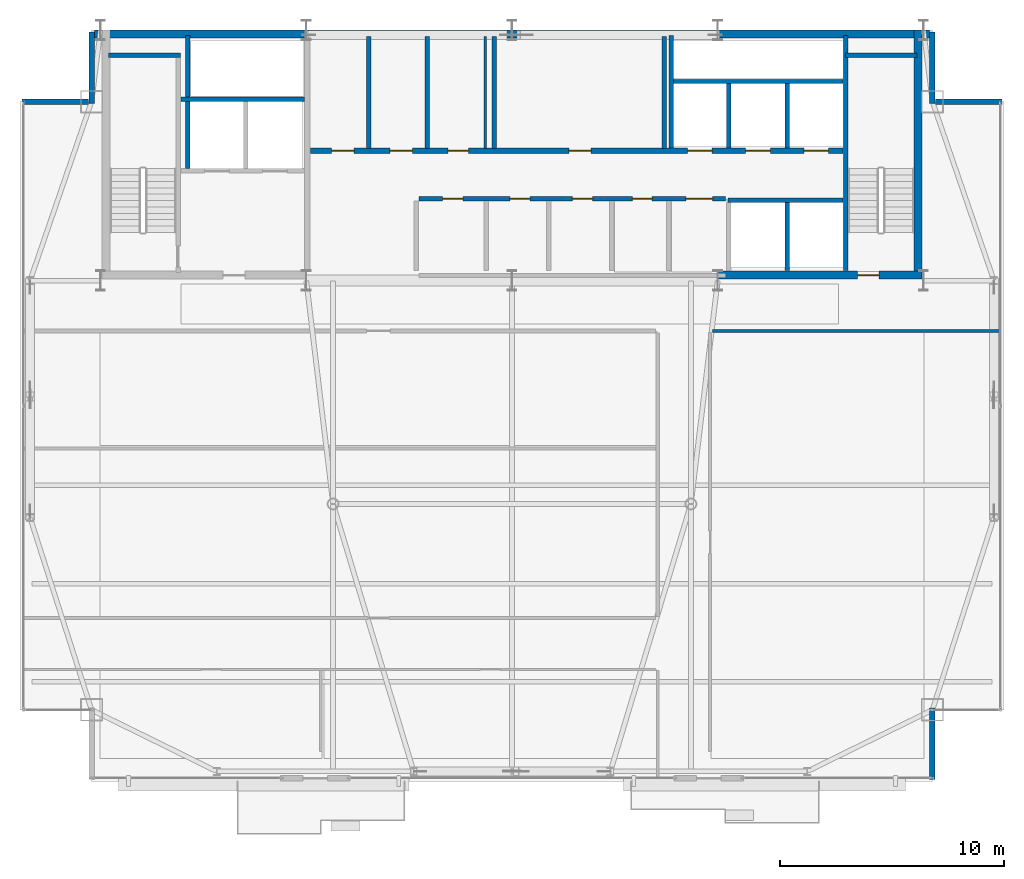
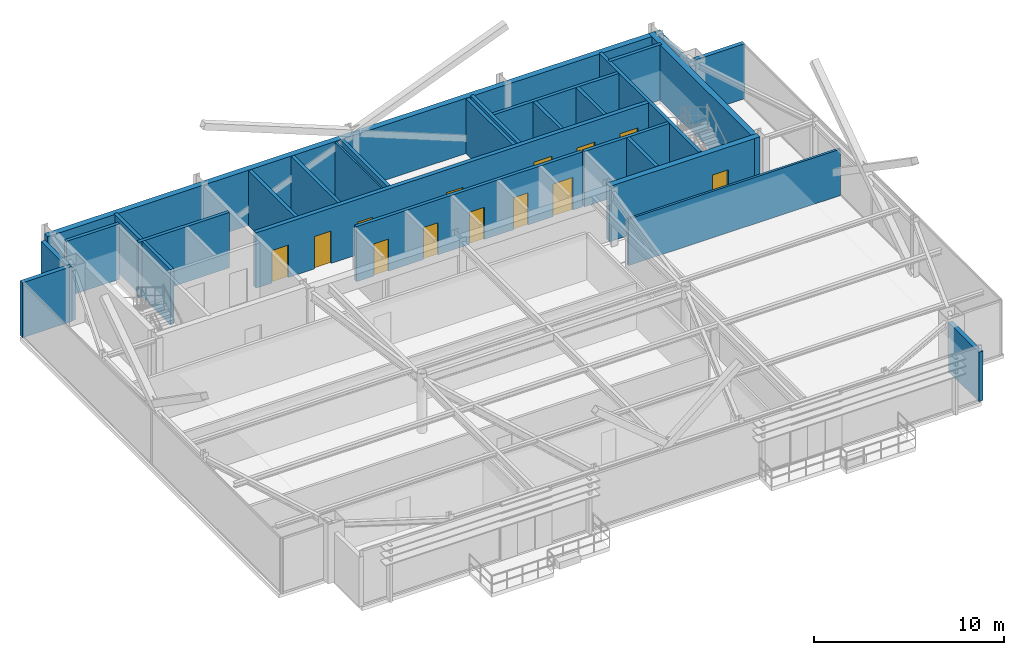
# One storey, part 22 of 25: 27 walls, 13 doors, 13 openings.
"""IFC4 building model written with IfcOpenShell, lengths in metres."""

from ifc_helpers import new_model, si_unit, direction, frame, frame_2d, origin, place, context, subcontext, project, spatial, rectangle, extrude, source, transform, mapped, material, layer, layer_set, type_object, type_shapes, element, fill, save


model = new_model("IFC4")

# Units and contexts
model_context = context("Model", 3, precision=1e-05, world=origin(), true_north=direction((0.0, 1.0)))
body_context = subcontext(model_context, "Body", "Model", "MODEL_VIEW")
ifc_project = project(units=[si_unit("LENGTHUNIT", "METRE"), si_unit("AREAUNIT", "SQUARE_METRE"), si_unit("VOLUMEUNIT", "CUBIC_METRE"), si_unit("PLANEANGLEUNIT", "RADIAN"), si_unit("MASSUNIT", "GRAM", prefix="KILO")], contexts=[model_context])

# Site, building, storey
site_placement = place(None, origin())
site = spatial("IfcSite", under=ifc_project, at=site_placement, CompositionType="ELEMENT")
building_placement = place(site_placement, origin())
building = spatial("IfcBuilding", under=site, at=building_placement, Name="Varnel Quay Broadcast Tower", CompositionType="ELEMENT")
storey_placement = place(building_placement, frame((0.0, 0.0, 288.800048828125)))
storey = spatial("IfcBuildingStorey", under=building, at=storey_placement, Name="L72", CompositionType="ELEMENT", Elevation=288.800048828125)

# Walls
ifc_material_1 = material(Name="Concrete CSA A23.3 C50/60", Category="concrete")
ifc_layer_1 = layer(ifc_material_1, 0.199951171875, Name="Concrete CSA A23.3 C50/60")
ifc_layer_set_1 = layer_set([ifc_layer_1], Name="Concrete CSA A23.3 C50/60")
wall_type_1 = type_object("IfcWallType", Name="Wall_CoreShaftShear200", PredefinedType="SHEAR", material=ifc_layer_set_1)
wall_1_placement = place(storey_placement, frame((15.949951171875, 45.679931640625, 0.0), z_axis=(0.0, 0.0, 1.0), x_axis=(1.0, 0.0, 0.0)))
element("IfcWall", 1, at=wall_1_placement, inside=storey, type_object=wall_type_1, Name="L72 Stair 1 North Structural Wall", PredefinedType="SHEAR", context=body_context, shape_type="SweptSolid", body=[
    extrude(rectangle(XDim=3.22998046875, YDim=0.199951171875, at=frame_2d((1.614990234375, 0.0))), origin(), (0.0, 0.0, 1.0), 3.550048828125),
])
wall_2_placement = place(storey_placement, frame((19.199951171875, 43.699951171875, 0.0), z_axis=(0.0, 0.0, 1.0), x_axis=(1.0, 0.0, 0.0)))
element("IfcWall", 2, at=wall_2_placement, inside=storey, type_object=wall_type_1, Name="L72 Firefighter Lift Shaft Rear Wall", PredefinedType="SHEAR", context=body_context, shape_type="SweptSolid", body=[
    extrude(rectangle(XDim=5.52001953125, YDim=0.199951171875, at=frame_2d((2.760009765625, 0.0))), origin(), (0.0, 0.0, 1.0), 3.550048828125),
])
wall_3_placement = place(storey_placement, frame((19.5, 40.60009765625, 0.0), z_axis=(0.0, 0.0, 1.0), x_axis=(0.0, 1.0, 0.0)))
element("IfcWall", 3, at=wall_3_placement, inside=storey, type_object=wall_type_1, Name="L72 Firefighter Lift Shaft West Wall", PredefinedType="SHEAR", context=body_context, shape_type="SweptSolid", body=[
    extrude(rectangle(XDim=5.949951171875, YDim=0.199951171875, at=frame_2d((2.97509765625, 0.0))), origin(), (0.0, 0.0, 1.0), 3.550048828125),
])
wall_4_placement = place(storey_placement, frame((48.919921875, 36.050048828125, 0.0), z_axis=(0.0, 0.0, 1.0), x_axis=(0.0, 1.0, 0.0)))
element("IfcWall", 4, at=wall_4_placement, inside=storey, type_object=wall_type_1, Name="L72 Stair 2 West Structural Wall", PredefinedType="SHEAR", context=body_context, shape_type="SweptSolid", body=[
    extrude(rectangle(XDim=10.5, YDim=0.199951171875, at=frame_2d((5.25, 0.0))), origin(), (0.0, 0.0, 1.0), 3.550048828125),
])
wall_5_placement = place(storey_placement, frame((48.919921875, 45.679931640625, 0.0), z_axis=(0.0, 0.0, 1.0), x_axis=(1.0, 0.0, 0.0)))
element("IfcWall", 5, at=wall_5_placement, inside=storey, type_object=wall_type_1, Name="L72 Stair 2 North Structural Wall", PredefinedType="SHEAR", context=body_context, shape_type="SweptSolid", body=[
    extrude(rectangle(XDim=3.18017578125, YDim=0.199951171875, at=frame_2d((1.590087890625, 0.0))), origin(), (0.0, 0.0, 1.0), 3.550048828125),
])
wall_6_placement = place(storey_placement, frame((41.219970703125, 44.5, 0.0), z_axis=(0.0, 0.0, 1.0), x_axis=(1.0, 0.0, 0.0)))
element("IfcWall", 6, at=wall_6_placement, inside=storey, type_object=wall_type_1, Name="L72 High-Rise Lift Shaft Rear Wall", PredefinedType="SHEAR", context=body_context, shape_type="SweptSolid", body=[
    extrude(rectangle(XDim=7.580078125, YDim=0.199951171875, at=frame_2d((3.7900390625, 0.0))), origin(), (0.0, 0.0, 1.0), 3.550048828125),
])
wall_7_placement = place(storey_placement, frame((41.1201171875, 41.530029296875, 0.0), z_axis=(0.0, 0.0, 1.0), x_axis=(0.0, 1.0, 0.0)))
element("IfcWall", 7, at=wall_7_placement, inside=storey, type_object=wall_type_1, Name="L72 High-Rise Lift Shaft Divider 1", PredefinedType="SHEAR", context=body_context, shape_type="SweptSolid", body=[
    extrude(rectangle(XDim=5.02001953125, YDim=0.199951171875, at=frame_2d((2.510009765625, 0.0))), origin(), (0.0, 0.0, 1.0), 3.550048828125),
])
for number, where, z_axis, x_axis, name in (
    (8, (43.699951171875, 41.530029296875, 0.0), (0.0, 0.0, 1.0), (0.0, 1.0, 0.0), "L72 High-Rise Lift Shaft Divider 2"),
    (9, (46.300048828125, 41.530029296875, 0.0), (0.0, 0.0, 1.0), (0.0, 1.0, 0.0), "L72 High-Rise Lift Shaft Divider 3"),
):
    element("IfcWall", number, at=place(storey_placement, frame(where, z_axis=z_axis, x_axis=x_axis)), inside=storey, type_object=wall_type_1, Name=name, PredefinedType="SHEAR", context=body_context, shape_type="SweptSolid", body=[
        extrude(rectangle(XDim=2.869873046875, YDim=0.199951171875, at=frame_2d((1.43505859375, 0.0))), origin(), (0.0, 0.0, 1.0), 3.550048828125),
    ])
wall_8_placement = place(storey_placement, frame((46.300048828125, 36.050048828125, 0.0), z_axis=(0.0, 0.0, 1.0), x_axis=(0.0, 1.0, 0.0)))
element("IfcWall", 10, at=wall_8_placement, inside=storey, type_object=wall_type_1, Name="L72 Express Lift Shaft Divider", PredefinedType="SHEAR", context=body_context, shape_type="SweptSolid", body=[
    extrude(rectangle(XDim=3.050048828125, YDim=0.199951171875, at=frame_2d((1.52490234375, 0.0))), origin(), (0.0, 0.0, 1.0), 3.550048828125),
])
wall_9_placement = place(storey_placement, frame((43.64990234375, 39.199951171875, 0.0), z_axis=(0.0, 0.0, 1.0), x_axis=(1.0, 0.0, 0.0)))
element("IfcWall", 11, at=wall_9_placement, inside=storey, type_object=wall_type_1, Name="L72 Express Lift Shaft North Front Wall", PredefinedType="SHEAR", context=body_context, shape_type="SweptSolid", body=[
    extrude(rectangle(XDim=5.150146484375, YDim=0.199951171875, at=frame_2d((2.5751953125, 0.0))), origin(), (0.0, 0.0, 1.0), 3.550048828125),
])

# Wall, openings, doors
ifc_layer_2 = layer(ifc_material_1, 0.25, Name="Concrete CSA A23.3 C50/60")
ifc_layer_set_2 = layer_set([ifc_layer_2], Name="Concrete CSA A23.3 C50/60")
wall_type_2 = type_object("IfcWallType", Name="Wall_CoreShaftShear250", PredefinedType="SHEAR", material=ifc_layer_set_2)
wall_10_placement = place(storey_placement, frame((24.97998046875, 41.39990234375, 0.0), z_axis=(0.0, 0.0, 1.0), x_axis=(1.0, 0.0, 0.0)))
wall_10 = element("IfcWall", 12, at=wall_10_placement, inside=storey, type_object=wall_type_2, Name="L72 North Lift Bank & Reclaimed Suite Wall", PredefinedType="SHEAR", context=body_context, shape_type="SweptSolid", body=[
    extrude(rectangle(XDim=23.820068359375, YDim=0.25, at=frame_2d((11.91015625, 0.0))), origin(), (0.0, 0.0, 1.0), 3.550048828125),
])
opening_1_placement = place(wall_10_placement, frame((16.8701171875, 0.0, 0.0)))
opening_1 = element("IfcOpeningElement", 13, at=opening_1_placement, cuts=wall_10, Name="Opening LD-L72-PH-01", PredefinedType="OPENING", context=body_context, shape_type="SweptSolid", body=[
    extrude(rectangle(XDim=1.10009765625, YDim=2.179931640625, at=frame_2d((0.550048828125, 1.08984375))), frame((0.0, 0.135009765625, 0.0), z_axis=(0.0, -1.0, 0.0), x_axis=(1.0, 0.0, 0.0)), (0.0, 0.0, 1.0), 0.27001953125),
])
opening_2_placement = place(wall_10_placement, frame((19.469970703125, 0.0, 0.0)))
opening_2 = element("IfcOpeningElement", 14, at=opening_2_placement, cuts=wall_10, Name="Opening LD-L72-PH-02", PredefinedType="OPENING", context=body_context, shape_type="SweptSolid", body=[
    extrude(rectangle(XDim=1.10009765625, YDim=2.179931640625, at=frame_2d((0.550048828125, 1.08984375))), frame((0.0, 0.135009765625, 0.0), z_axis=(0.0, -1.0, 0.0), x_axis=(1.0, 0.0, 0.0)), (0.0, 0.0, 1.0), 0.27001953125),
])
opening_3_placement = place(wall_10_placement, frame((22.070068359375, 0.0, 0.0)))
opening_3 = element("IfcOpeningElement", 15, at=opening_3_placement, cuts=wall_10, Name="Opening LD-L72-PH-03", PredefinedType="OPENING", context=body_context, shape_type="SweptSolid", body=[
    extrude(rectangle(XDim=1.10009765625, YDim=2.179931640625, at=frame_2d((0.550048828125, 1.08984375))), frame((0.0, 0.135009765625, 0.0), z_axis=(0.0, -1.0, 0.0), x_axis=(1.0, 0.0, 0.0)), (0.0, 0.0, 1.0), 0.27001953125),
])
opening_4_placement = place(wall_10_placement, frame((0.9599609375, 0.0, 0.0)))
opening_4 = element("IfcOpeningElement", 16, at=opening_4_placement, cuts=wall_10, Name="Opening D-L72-RECA1", PredefinedType="OPENING", context=body_context, shape_type="SweptSolid", body=[
    extrude(rectangle(XDim=1.0, YDim=2.080078125, at=frame_2d((0.5, 1.0400390625))), frame((0.0, 0.135009765625, 0.0), z_axis=(0.0, -1.0, 0.0), x_axis=(1.0, 0.0, 0.0)), (0.0, 0.0, 1.0), 0.27001953125),
])
opening_5_placement = place(wall_10_placement, frame((3.56005859375, 0.0, 0.0)))
opening_5 = element("IfcOpeningElement", 17, at=opening_5_placement, cuts=wall_10, Name="Opening D-L72-RECA2", PredefinedType="OPENING", context=body_context, shape_type="SweptSolid", body=[
    extrude(rectangle(XDim=1.0, YDim=2.080078125, at=frame_2d((0.5, 1.0400390625))), frame((0.0, 0.135009765625, 0.0), z_axis=(0.0, -1.0, 0.0), x_axis=(1.0, 0.0, 0.0)), (0.0, 0.0, 1.0), 0.27001953125),
])
opening_6_placement = place(wall_10_placement, frame((6.159912109375, 0.0, 0.0)))
opening_6 = element("IfcOpeningElement", 18, at=opening_6_placement, cuts=wall_10, Name="Opening D-L72-RECA3", PredefinedType="OPENING", context=body_context, shape_type="SweptSolid", body=[
    extrude(rectangle(XDim=0.919921875, YDim=2.080078125, at=frame_2d((0.4599609375, 1.0400390625))), frame((0.0, 0.135009765625, 0.0), z_axis=(0.0, -1.0, 0.0), x_axis=(1.0, 0.0, 0.0)), (0.0, 0.0, 1.0), 0.27001953125),
])
opening_7_placement = place(wall_10_placement, frame((11.56005859375, 0.0, 0.0)))
opening_7 = element("IfcOpeningElement", 19, at=opening_7_placement, cuts=wall_10, Name="Opening D-L72-RECB1", PredefinedType="OPENING", context=body_context, shape_type="SweptSolid", body=[
    extrude(rectangle(XDim=1.0, YDim=2.080078125, at=frame_2d((0.5, 1.0400390625))), frame((0.0, 0.135009765625, 0.0), z_axis=(0.0, -1.0, 0.0), x_axis=(1.0, 0.0, 0.0)), (0.0, 0.0, 1.0), 0.27001953125),
])
ifc_material_2 = material(Name="Brushed Bronze-Stainless Lift Car & Sliding Doors", Category="steel")
door_type_1 = type_object("IfcDoorType", Name="Door_LiftLanding1100", OperationType="SLIDING_TO_LEFT", PredefinedType="DOOR", material=ifc_material_2)
shared_shape_1 = source(origin(), body_context, "Body", "SweptSolid", [
    extrude(rectangle(XDim=1.10009765625, YDim=2.179931640625, at=frame_2d((0.550048828125, 1.08984375))), frame((0.0, 0.02490234375, 0.0), z_axis=(0.0, -1.0, 0.0), x_axis=(1.0, 0.0, 0.0)), (0.0, 0.0, 1.0), 0.050048828125),
])
type_shapes(door_type_1, [shared_shape_1])
door_1_placement = place(opening_1_placement, frame((1.10009765625, 0.0, 0.0), z_axis=(0.0, 0.0, 1.0), x_axis=(-1.0, 0.0, 0.0)))
door_1 = element("IfcDoor", 20, at=door_1_placement, inside=storey, type_object=door_type_1, Name="L72 Lift PH-01 Landing Door", OperationType="SLIDING_TO_LEFT", OverallHeight=2.179931640625, OverallWidth=1.10009765625, PredefinedType="DOOR", context=body_context, shape_type="MappedRepresentation", body=[
    mapped(shared_shape_1, transform((0.0, 0.0, 0.0), x_axis=(1.0, 0.0, 0.0), y_axis=(0.0, 1.0, 0.0), z_axis=(0.0, 0.0, 1.0), scale=1.0)),
])
fill(opening_1, door_1)
door_2_placement = place(opening_2_placement, frame((1.10009765625, 0.0, 0.0), z_axis=(0.0, 0.0, 1.0), x_axis=(-1.0, 0.0, 0.0)))
door_2 = element("IfcDoor", 21, at=door_2_placement, inside=storey, type_object=door_type_1, Name="L72 Lift PH-02 Landing Door", OperationType="SLIDING_TO_LEFT", OverallHeight=2.179931640625, OverallWidth=1.10009765625, PredefinedType="DOOR", context=body_context, shape_type="MappedRepresentation", body=[
    mapped(shared_shape_1, transform((0.0, 0.0, 0.0), x_axis=(1.0, 0.0, 0.0), y_axis=(0.0, 1.0, 0.0), z_axis=(0.0, 0.0, 1.0), scale=1.0)),
])
fill(opening_2, door_2)
door_3_placement = place(opening_3_placement, frame((1.10009765625, 0.0, 0.0), z_axis=(0.0, 0.0, 1.0), x_axis=(-1.0, 0.0, 0.0)))
door_3 = element("IfcDoor", 22, at=door_3_placement, inside=storey, type_object=door_type_1, Name="L72 Lift PH-03 Landing Door", OperationType="SLIDING_TO_LEFT", OverallHeight=2.179931640625, OverallWidth=1.10009765625, PredefinedType="DOOR", context=body_context, shape_type="MappedRepresentation", body=[
    mapped(shared_shape_1, transform((0.0, 0.0, 0.0), x_axis=(1.0, 0.0, 0.0), y_axis=(0.0, 1.0, 0.0), z_axis=(0.0, 0.0, 1.0), scale=1.0)),
])
fill(opening_3, door_3)
ifc_material_3 = material(Name="Insulated Fire-Rated Hollow Steel Door", Category="steel")
door_type_2 = type_object("IfcDoorType", Name="Door_FireLobby1000", OperationType="NOTDEFINED", PredefinedType="DOOR", material=ifc_material_3)
shared_shape_2 = source(origin(), body_context, "Body", "SweptSolid", [
    extrude(rectangle(XDim=1.0, YDim=2.080078125, at=frame_2d((0.5, 1.0400390625))), frame((0.0, 0.02490234375, 0.0), z_axis=(0.0, -1.0, 0.0), x_axis=(1.0, 0.0, 0.0)), (0.0, 0.0, 1.0), 0.050048828125),
])
type_shapes(door_type_2, [shared_shape_2])
door_4_placement = place(opening_4_placement, origin())
door_4 = element("IfcDoor", 23, at=door_4_placement, inside=storey, type_object=door_type_2, Name="L72 Ingest Rack Bay A Door", OperationType="SINGLE_SWING_LEFT", OverallHeight=2.080078125, OverallWidth=1.0, PredefinedType="DOOR", context=body_context, shape_type="MappedRepresentation", body=[
    mapped(shared_shape_2, transform((0.0, 0.0, 0.0), x_axis=(1.0, 0.0, 0.0), y_axis=(0.0, 1.0, 0.0), z_axis=(0.0, 0.0, 1.0), scale=1.0)),
])
fill(opening_4, door_4)
door_5_placement = place(opening_5_placement, origin())
door_5 = element("IfcDoor", 24, at=door_5_placement, inside=storey, type_object=door_type_2, Name="L72 Fiber Patch Bay Door", OperationType="SINGLE_SWING_RIGHT", OverallHeight=2.080078125, OverallWidth=1.0, PredefinedType="DOOR", context=body_context, shape_type="MappedRepresentation", body=[
    mapped(shared_shape_2, transform((0.0, 0.0, 0.0), x_axis=(1.0, 0.0, 0.0), y_axis=(0.0, 1.0, 0.0), z_axis=(0.0, 0.0, 1.0), scale=1.0)),
])
fill(opening_5, door_5)
door_6_placement = place(opening_7_placement, origin())
door_6 = element("IfcDoor", 25, at=door_6_placement, inside=storey, type_object=door_type_2, Name="L72 High-Zone Broadcast Rack Hall Door", OperationType="SINGLE_SWING_RIGHT", OverallHeight=2.080078125, OverallWidth=1.0, PredefinedType="DOOR", context=body_context, shape_type="MappedRepresentation", body=[
    mapped(shared_shape_2, transform((0.0, 0.0, 0.0), x_axis=(1.0, 0.0, 0.0), y_axis=(0.0, 1.0, 0.0), z_axis=(0.0, 0.0, 1.0), scale=1.0)),
])
fill(opening_7, door_6)
ifc_material_4 = material(Name="Solid-Core Fire-Rated Acoustic Oak Veneer Door", Category="wood")
door_type_3 = type_object("IfcDoorType", Name="Door_Office920", OperationType="NOTDEFINED", PredefinedType="DOOR", material=ifc_material_4)
shared_shape_3 = source(origin(), body_context, "Body", "SweptSolid", [
    extrude(rectangle(XDim=0.919921875, YDim=2.080078125, at=frame_2d((0.4599609375, 1.0400390625))), frame((0.0, 0.02490234375, 0.0), z_axis=(0.0, -1.0, 0.0), x_axis=(1.0, 0.0, 0.0)), (0.0, 0.0, 1.0), 0.050048828125),
])
type_shapes(door_type_3, [shared_shape_3])
door_7_placement = place(opening_6_placement, origin())
door_7 = element("IfcDoor", 26, at=door_7_placement, inside=storey, type_object=door_type_3, Name="L72 Telemetry Store Door", OperationType="SINGLE_SWING_LEFT", OverallHeight=2.080078125, OverallWidth=0.919921875, PredefinedType="DOOR", context=body_context, shape_type="MappedRepresentation", body=[
    mapped(shared_shape_3, transform((0.0, 0.0, 0.0), x_axis=(1.0, 0.0, 0.0), y_axis=(0.0, 1.0, 0.0), z_axis=(0.0, 0.0, 1.0), scale=1.0)),
])
fill(opening_6, door_7)

# Walls
ifc_layer_3 = layer(ifc_material_1, 0.35009765625, Name="Concrete CSA A23.3 C50/60")
ifc_layer_set_3 = layer_set([ifc_layer_3], Name="Concrete CSA A23.3 C50/60")
wall_type_3 = type_object("IfcWallType", Name="Wall_CoreShearExt350", PredefinedType="SHEAR", material=ifc_layer_set_3)
wall_11_placement = place(storey_placement, frame((15.324951171875, 46.625, 0.0), z_axis=(0.0, 0.0, 1.0), x_axis=(1.0, 0.0, 0.0)))
element("IfcWall", 27, at=wall_11_placement, inside=storey, type_object=wall_type_3, Name="L72 North Core Shear Wall", PredefinedType="SHEAR", context=body_context, shape_type="SweptSolid", body=[
    extrude(rectangle(XDim=37.35009765625, YDim=0.35009765625, at=frame_2d((18.675048828125, 0.0))), origin(), (0.0, 0.0, 1.0), 3.550048828125),
])
ifc_layer_4 = layer(ifc_material_1, 0.35009765625, Name="Concrete CSA A23.3 C50/60")
ifc_layer_set_4 = layer_set([ifc_layer_4], Name="Concrete CSA A23.3 C50/60")
wall_type_4 = type_object("IfcWallType", Name="Wall_CoreShearInt350", PredefinedType="SHEAR", material=ifc_layer_set_4)
wall_12_placement = place(storey_placement, frame((52.155029296875, 35.669921875, 0.0), z_axis=(0.0, 0.0, 1.0), x_axis=(0.0, 1.0, 0.0)))
element("IfcWall", 28, at=wall_12_placement, inside=storey, type_object=wall_type_4, Name="L72 East Core Shear Wall", PredefinedType="SHEAR", context=body_context, shape_type="SweptSolid", body=[
    extrude(rectangle(XDim=11.130126953125, YDim=0.35009765625, at=frame_2d((5.56494140625, 0.0))), origin(), (0.0, 0.0, 1.0), 3.550048828125),
])

# Wall, opening, door
wall_13_placement = place(storey_placement, frame((43.199951171875, 35.844970703125, 0.0), z_axis=(0.0, 0.0, 1.0), x_axis=(1.0, 0.0, 0.0)))
wall_13 = element("IfcWall", 29, at=wall_13_placement, inside=storey, type_object=wall_type_4, Name="L72 South-East Core Shear Wall", PredefinedType="SHEAR", context=body_context, shape_type="SweptSolid", body=[
    extrude(rectangle(XDim=9.130126953125, YDim=0.35009765625, at=frame_2d((4.56494140625, 0.0))), origin(), (0.0, 0.0, 1.0), 3.550048828125),
])
opening_8_placement = place(wall_13_placement, frame((6.25, 0.0, 0.0)))
opening_8 = element("IfcOpeningElement", 30, at=opening_8_placement, cuts=wall_13, Name="Opening D-L72-S2", PredefinedType="OPENING", context=body_context, shape_type="SweptSolid", body=[
    extrude(rectangle(XDim=0.949951171875, YDim=2.10009765625, at=frame_2d((0.47509765625, 1.050048828125))), frame((0.0, 0.18505859375, 0.0), z_axis=(0.0, -1.0, 0.0), x_axis=(1.0, 0.0, 0.0)), (0.0, 0.0, 1.0), 0.3701171875),
])
door_type_4 = type_object("IfcDoorType", Name="Door_FireStair950", OperationType="NOTDEFINED", PredefinedType="DOOR", material=ifc_material_3)
shared_shape_4 = source(origin(), body_context, "Body", "SweptSolid", [
    extrude(rectangle(XDim=0.949951171875, YDim=2.10009765625, at=frame_2d((0.47509765625, 1.050048828125))), frame((0.0, 0.02490234375, 0.0), z_axis=(0.0, -1.0, 0.0), x_axis=(1.0, 0.0, 0.0)), (0.0, 0.0, 1.0), 0.050048828125),
])
type_shapes(door_type_4, [shared_shape_4])
door_8_placement = place(opening_8_placement, origin())
door_8 = element("IfcDoor", 31, at=door_8_placement, inside=storey, type_object=door_type_4, Name="L72 Stair 2 Fire Door", OperationType="SINGLE_SWING_RIGHT", OverallHeight=2.10009765625, OverallWidth=0.949951171875, PredefinedType="DOOR", context=body_context, shape_type="MappedRepresentation", body=[
    mapped(shared_shape_4, transform((0.0, 0.0, 0.0), x_axis=(1.0, 0.0, 0.0), y_axis=(0.0, 1.0, 0.0), z_axis=(0.0, 0.0, 1.0), scale=1.0)),
])
fill(opening_8, door_8)

# Walls
ifc_material_5 = material(Name="Precast Architectural Concrete C40/50", Category="concrete")
ifc_layer_5 = layer(ifc_material_5, 0.25, Name="Precast Architectural Concrete C40/50")
ifc_layer_set_5 = layer_set([ifc_layer_5], Name="Precast Architectural Concrete C40/50")
wall_type_5 = type_object("IfcWallType", Name="Wall_ExtTerrace250", PredefinedType="SOLIDWALL", material=ifc_layer_set_5)
wall_14_placement = place(storey_placement, frame((52.800048828125, 13.280029296875, 0.0), z_axis=(0.0, 0.0, 1.0), x_axis=(0.0, 1.0, 0.0)))
element("IfcWall", 32, at=wall_14_placement, inside=storey, type_object=wall_type_5, Name="L72 Mega-Column Notch Cladding Wall NSE2", PredefinedType="SOLIDWALL", context=body_context, shape_type="SweptSolid", body=[
    extrude(rectangle(XDim=3.199951171875, YDim=0.25, at=frame_2d((1.60009765625, 0.0))), origin(), (0.0, 0.0, 1.0), 3.1708984375),
])
wall_15_placement = place(storey_placement, frame((12.080078125, 43.60009765625, 0.0), z_axis=(0.0, 0.0, 1.0), x_axis=(1.0, 0.0, 0.0)))
element("IfcWall", 33, at=wall_15_placement, inside=storey, type_object=wall_type_5, Name="L72 Mega-Column Notch Cladding Wall NNW1", PredefinedType="SOLIDWALL", context=body_context, shape_type="SweptSolid", body=[
    extrude(rectangle(XDim=2.989990234375, YDim=0.25, at=frame_2d((1.4951171875, 0.0))), origin(), (0.0, 0.0, 1.0), 3.530029296875),
])
wall_16_placement = place(storey_placement, frame((15.199951171875, 43.52001953125, 0.0), z_axis=(0.0, 0.0, 1.0), x_axis=(0.0, 1.0, 0.0)))
element("IfcWall", 34, at=wall_16_placement, inside=storey, type_object=wall_type_5, Name="L72 Mega-Column Notch Cladding Wall NNW2", PredefinedType="SOLIDWALL", context=body_context, shape_type="SweptSolid", body=[
    extrude(rectangle(XDim=3.199951171875, YDim=0.25, at=frame_2d((1.60009765625, 0.0))), origin(), (0.0, 0.0, 1.0), 3.1708984375),
])
wall_17_placement = place(storey_placement, frame((52.929931640625, 43.60009765625, 0.0), z_axis=(0.0, 0.0, 1.0), x_axis=(1.0, 0.0, 0.0)))
element("IfcWall", 35, at=wall_17_placement, inside=storey, type_object=wall_type_5, Name="L72 Mega-Column Notch Cladding Wall NNE1", PredefinedType="SOLIDWALL", context=body_context, shape_type="SweptSolid", body=[
    extrude(rectangle(XDim=2.989990234375, YDim=0.25, at=frame_2d((1.4951171875, 0.0))), origin(), (0.0, 0.0, 1.0), 3.530029296875),
])
wall_18_placement = place(storey_placement, frame((52.800048828125, 43.52001953125, 0.0), z_axis=(0.0, 0.0, 1.0), x_axis=(0.0, 1.0, 0.0)))
element("IfcWall", 36, at=wall_18_placement, inside=storey, type_object=wall_type_5, Name="L72 Mega-Column Notch Cladding Wall NNE2", PredefinedType="SOLIDWALL", context=body_context, shape_type="SweptSolid", body=[
    extrude(rectangle(XDim=3.199951171875, YDim=0.25, at=frame_2d((1.60009765625, 0.0))), origin(), (0.0, 0.0, 1.0), 3.1708984375),
])

# Wall, openings, doors
ifc_material_6 = material(Name="Concrete Blockwork Fire Enclosure C40/50", Category="masonry")
ifc_layer_6 = layer(ifc_material_6, 0.199951171875, Name="Concrete Blockwork Fire Enclosure C40/50")
ifc_layer_set_6 = layer_set([ifc_layer_6], Name="Concrete Blockwork Fire Enclosure C40/50")
wall_type_6 = type_object("IfcWallType", Name="Wall_FireShaft200", PredefinedType="SOLIDWALL", material=ifc_layer_set_6)
wall_19_placement = place(storey_placement, frame((29.85009765625, 39.25, 0.0), z_axis=(0.0, 0.0, 1.0), x_axis=(1.0, 0.0, 0.0)))
wall_19 = element("IfcWall", 37, at=wall_19_placement, inside=storey, type_object=wall_type_6, Name="L72 Accessible Washroom Partition 3", PredefinedType="SOLIDWALL", context=body_context, shape_type="SweptSolid", body=[
    extrude(rectangle(XDim=13.699951171875, YDim=0.199951171875, at=frame_2d((6.85009765625, 0.0))), origin(), (0.0, 0.0, 1.0), 3.530029296875),
])
opening_9_placement = place(wall_19_placement, frame((1.050048828125, 0.0, 0.0)))
opening_9 = element("IfcOpeningElement", 38, at=opening_9_placement, cuts=wall_19, Name="Opening D-L72-01", PredefinedType="OPENING", context=body_context, shape_type="SweptSolid", body=[
    extrude(rectangle(XDim=0.89990234375, YDim=2.06005859375, at=frame_2d((0.449951171875, 1.030029296875))), frame((0.0, 0.10986328125, 0.0), z_axis=(0.0, -1.0, 0.0), x_axis=(1.0, 0.0, 0.0)), (0.0, 0.0, 1.0), 0.219970703125),
])
opening_10_placement = place(wall_19_placement, frame((4.050048828125, 0.0, 0.0)))
opening_10 = element("IfcOpeningElement", 39, at=opening_10_placement, cuts=wall_19, Name="Opening D-L72-02", PredefinedType="OPENING", context=body_context, shape_type="SweptSolid", body=[
    extrude(rectangle(XDim=0.89990234375, YDim=2.06005859375, at=frame_2d((0.449951171875, 1.030029296875))), frame((0.0, 0.10986328125, 0.0), z_axis=(0.0, -1.0, 0.0), x_axis=(1.0, 0.0, 0.0)), (0.0, 0.0, 1.0), 0.219970703125),
])
opening_11_placement = place(wall_19_placement, frame((6.85009765625, 0.0, 0.0)))
opening_11 = element("IfcOpeningElement", 40, at=opening_11_placement, cuts=wall_19, Name="Opening D-L72-03", PredefinedType="OPENING", context=body_context, shape_type="SweptSolid", body=[
    extrude(rectangle(XDim=0.89990234375, YDim=2.06005859375, at=frame_2d((0.449951171875, 1.030029296875))), frame((0.0, 0.10986328125, 0.0), z_axis=(0.0, -1.0, 0.0), x_axis=(1.0, 0.0, 0.0)), (0.0, 0.0, 1.0), 0.219970703125),
])
opening_12_placement = place(wall_19_placement, frame((9.534912109375, 0.0, 0.0)))
opening_12 = element("IfcOpeningElement", 41, at=opening_12_placement, cuts=wall_19, Name="Opening D-L72-04", PredefinedType="OPENING", context=body_context, shape_type="SweptSolid", body=[
    extrude(rectangle(XDim=0.8798828125, YDim=2.06005859375, at=frame_2d((0.43994140625, 1.030029296875))), frame((0.0, 0.10986328125, 0.0), z_axis=(0.0, -1.0, 0.0), x_axis=(1.0, 0.0, 0.0)), (0.0, 0.0, 1.0), 0.219970703125),
])
opening_13_placement = place(wall_19_placement, frame((11.925048828125, 0.0, 0.0)))
opening_13 = element("IfcOpeningElement", 42, at=opening_13_placement, cuts=wall_19, Name="Opening D-L72-05", PredefinedType="OPENING", context=body_context, shape_type="SweptSolid", body=[
    extrude(rectangle(XDim=1.199951171875, YDim=2.10009765625, at=frame_2d((0.60009765625, 1.050048828125))), frame((0.0, 0.10986328125, 0.0), z_axis=(0.0, -1.0, 0.0), x_axis=(1.0, 0.0, 0.0)), (0.0, 0.0, 1.0), 0.219970703125),
])
door_type_5 = type_object("IfcDoorType", Name="Door_Washroom900", OperationType="NOTDEFINED", PredefinedType="DOOR", material=ifc_material_4)
shared_shape_5 = source(origin(), body_context, "Body", "SweptSolid", [
    extrude(rectangle(XDim=0.89990234375, YDim=2.06005859375, at=frame_2d((0.449951171875, 1.030029296875))), frame((0.0, 0.02490234375, 0.0), z_axis=(0.0, -1.0, 0.0), x_axis=(1.0, 0.0, 0.0)), (0.0, 0.0, 1.0), 0.050048828125),
])
type_shapes(door_type_5, [shared_shape_5])
door_9_placement = place(opening_9_placement, frame((0.89990234375, 0.0, 0.0), z_axis=(0.0, 0.0, 1.0), x_axis=(-1.0, 0.0, 0.0)))
door_9 = element("IfcDoor", 43, at=door_9_placement, inside=storey, type_object=door_type_5, Name="L72 Accessible Washroom Door D-L72-01", OperationType="SINGLE_SWING_LEFT", OverallHeight=2.06005859375, OverallWidth=0.89990234375, PredefinedType="DOOR", context=body_context, shape_type="MappedRepresentation", body=[
    mapped(shared_shape_5, transform((0.0, 0.0, 0.0), x_axis=(1.0, 0.0, 0.0), y_axis=(0.0, 1.0, 0.0), z_axis=(0.0, 0.0, 1.0), scale=1.0)),
])
fill(opening_9, door_9)
door_10_placement = place(opening_10_placement, frame((0.89990234375, 0.0, 0.0), z_axis=(0.0, 0.0, 1.0), x_axis=(-1.0, 0.0, 0.0)))
door_10 = element("IfcDoor", 44, at=door_10_placement, inside=storey, type_object=door_type_5, Name="L72 West Gender-Neutral Washroom Door D-L72-02", OperationType="SINGLE_SWING_RIGHT", OverallHeight=2.06005859375, OverallWidth=0.89990234375, PredefinedType="DOOR", context=body_context, shape_type="MappedRepresentation", body=[
    mapped(shared_shape_5, transform((0.0, 0.0, 0.0), x_axis=(1.0, 0.0, 0.0), y_axis=(0.0, 1.0, 0.0), z_axis=(0.0, 0.0, 1.0), scale=1.0)),
])
fill(opening_10, door_10)
door_11_placement = place(opening_11_placement, frame((0.89990234375, 0.0, 0.0), z_axis=(0.0, 0.0, 1.0), x_axis=(-1.0, 0.0, 0.0)))
door_11 = element("IfcDoor", 45, at=door_11_placement, inside=storey, type_object=door_type_5, Name="L72 East Staff Washroom Door D-L72-03", OperationType="SINGLE_SWING_LEFT", OverallHeight=2.06005859375, OverallWidth=0.89990234375, PredefinedType="DOOR", context=body_context, shape_type="MappedRepresentation", body=[
    mapped(shared_shape_5, transform((0.0, 0.0, 0.0), x_axis=(1.0, 0.0, 0.0), y_axis=(0.0, 1.0, 0.0), z_axis=(0.0, 0.0, 1.0), scale=1.0)),
])
fill(opening_11, door_11)
door_type_6 = type_object("IfcDoorType", Name="Door_Plant1200", OperationType="NOTDEFINED", PredefinedType="DOOR", material=ifc_material_3)
shared_shape_6 = source(origin(), body_context, "Body", "SweptSolid", [
    extrude(rectangle(XDim=1.199951171875, YDim=2.10009765625, at=frame_2d((0.60009765625, 1.050048828125))), frame((0.0, 0.02490234375, 0.0), z_axis=(0.0, -1.0, 0.0), x_axis=(1.0, 0.0, 0.0)), (0.0, 0.0, 1.0), 0.050048828125),
])
type_shapes(door_type_6, [shared_shape_6])
door_12_placement = place(opening_13_placement, origin())
door_12 = element("IfcDoor", 46, at=door_12_placement, inside=storey, type_object=door_type_6, Name="L72 Telecom IDF Closet Door D-L72-05", OperationType="SINGLE_SWING_LEFT", OverallHeight=2.10009765625, OverallWidth=1.199951171875, PredefinedType="DOOR", context=body_context, shape_type="MappedRepresentation", body=[
    mapped(shared_shape_6, transform((0.0, 0.0, 0.0), x_axis=(1.0, 0.0, 0.0), y_axis=(0.0, 1.0, 0.0), z_axis=(0.0, 0.0, 1.0), scale=1.0)),
])
fill(opening_13, door_12)
door_type_7 = type_object("IfcDoorType", Name="Door_Booth880", OperationType="NOTDEFINED", PredefinedType="DOOR", material=ifc_material_4)
shared_shape_7 = source(origin(), body_context, "Body", "SweptSolid", [
    extrude(rectangle(XDim=0.8798828125, YDim=2.06005859375, at=frame_2d((0.43994140625, 1.030029296875))), frame((0.0, 0.02490234375, 0.0), z_axis=(0.0, -1.0, 0.0), x_axis=(1.0, 0.0, 0.0)), (0.0, 0.0, 1.0), 0.050048828125),
])
type_shapes(door_type_7, [shared_shape_7])
door_13_placement = place(opening_12_placement, frame((0.8798828125, 0.0, 0.0), z_axis=(0.0, 0.0, 1.0), x_axis=(-1.0, 0.0, 0.0)))
door_13 = element("IfcDoor", 47, at=door_13_placement, inside=storey, type_object=door_type_7, Name="L72 Cleaners' & Linen Store Door D-L72-04", OperationType="SINGLE_SWING_RIGHT", OverallHeight=2.06005859375, OverallWidth=0.8798828125, PredefinedType="DOOR", context=body_context, shape_type="MappedRepresentation", body=[
    mapped(shared_shape_7, transform((0.0, 0.0, 0.0), x_axis=(1.0, 0.0, 0.0), y_axis=(0.0, 1.0, 0.0), z_axis=(0.0, 0.0, 1.0), scale=1.0)),
])
fill(opening_12, door_13)

# Walls
for number, where, z_axis, x_axis, name in (
    (48, (27.60009765625, 41.5, 0.0), (0.0, 0.0, 1.0), (0.0, 1.0, 0.0), "L72 Ingest Rack Bay A Partition 17"),
    (49, (30.199951171875, 41.5, 0.0), (0.0, 0.0, 1.0), (0.0, 1.0, 0.0), "L72 Fiber Patch Bay Partition 18"),
    (50, (40.800048828125, 41.5, 0.0), (0.0, 0.0, 1.0), (0.0, 1.0, 0.0), "L72 High-Zone Broadcast Rack Hall Partition 20"),
    (51, (33.199951171875, 41.5, 0.0), (0.0, 0.0, 1.0), (0.0, 1.0, 0.0), "L72 High-Zone Broadcast Rack Hall Partition 21"),
):
    element("IfcWall", number, at=place(storey_placement, frame(where, z_axis=z_axis, x_axis=x_axis)), inside=storey, type_object=wall_type_6, Name=name, PredefinedType="SOLIDWALL", context=body_context, shape_type="SweptSolid", body=[
        extrude(rectangle(XDim=5.02001953125, YDim=0.199951171875, at=frame_2d((2.510009765625, 0.0))), origin(), (0.0, 0.0, 1.0), 3.530029296875),
    ])
ifc_material_7 = material(Name="Steel-Stud Fire-Rated Acoustic Gypsum Partition Assembly", Category="steel")
ifc_layer_7 = layer(ifc_material_7, 0.10498046875, Name="Steel-Stud Fire-Rated Acoustic Gypsum Partition Assembly")
ifc_layer_set_7 = layer_set([ifc_layer_7], Name="Steel-Stud Fire-Rated Acoustic Gypsum Partition Assembly")
wall_type_7 = type_object("IfcWallType", Name="Wall_Partition105", PredefinedType="PARTITIONING", material=ifc_layer_set_7)
wall_20_placement = place(storey_placement, frame((32.800048828125, 41.5, 0.0), z_axis=(0.0, 0.0, 1.0), x_axis=(0.0, 1.0, 0.0)))
element("IfcWall", 52, at=wall_20_placement, inside=storey, type_object=wall_type_7, Name="L72 Telemetry Store Partition 19", PredefinedType="PARTITIONING", context=body_context, shape_type="SweptSolid", body=[
    extrude(rectangle(XDim=5.02001953125, YDim=0.10498046875, at=frame_2d((2.510009765625, 0.0))), origin(), (0.0, 0.0, 1.0), 3.530029296875),
])
ifc_layer_8 = layer(ifc_material_7, 0.139892578125, Name="Steel-Stud Fire-Rated Acoustic Gypsum Partition Assembly")
ifc_layer_set_8 = layer_set([ifc_layer_8], Name="Steel-Stud Fire-Rated Acoustic Gypsum Partition Assembly")
wall_type_8 = type_object("IfcWallType", Name="Wall_Partition140", PredefinedType="PARTITIONING", material=ifc_layer_set_8)
wall_21_placement = place(storey_placement, frame((42.9599609375, 33.35009765625, 0.0), z_axis=(0.0, 0.0, 1.0), x_axis=(1.0, 0.0, 0.0)))
element("IfcWall", 53, at=wall_21_placement, inside=storey, type_object=wall_type_8, Name="L72 Producer Lounge 5 Partition 15", PredefinedType="PARTITIONING", context=body_context, shape_type="SweptSolid", body=[
    extrude(rectangle(XDim=12.860107421875, YDim=0.139892578125, at=frame_2d((6.43017578125, 0.0))), origin(), (0.0, 0.0, 1.0), 2.98095703125),
])

save(model, "model.ifc")
